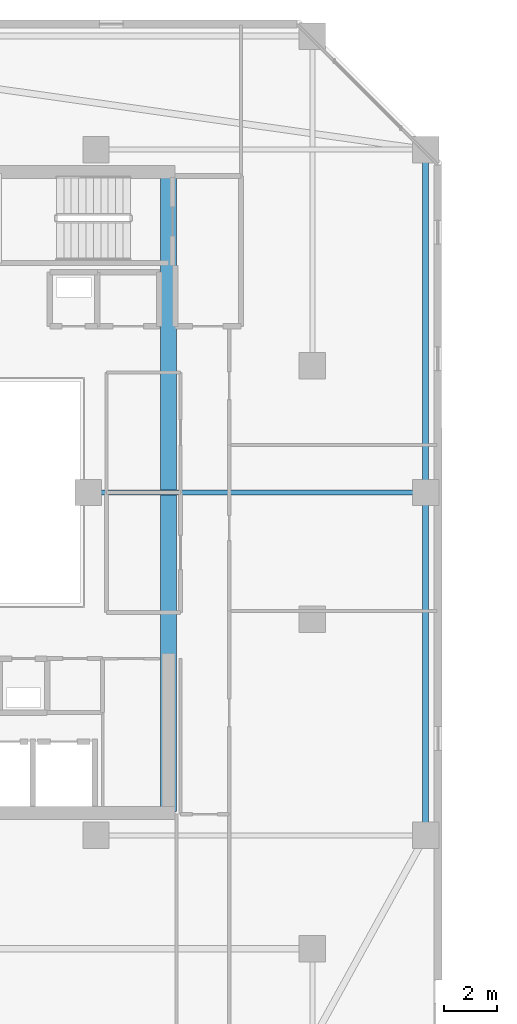
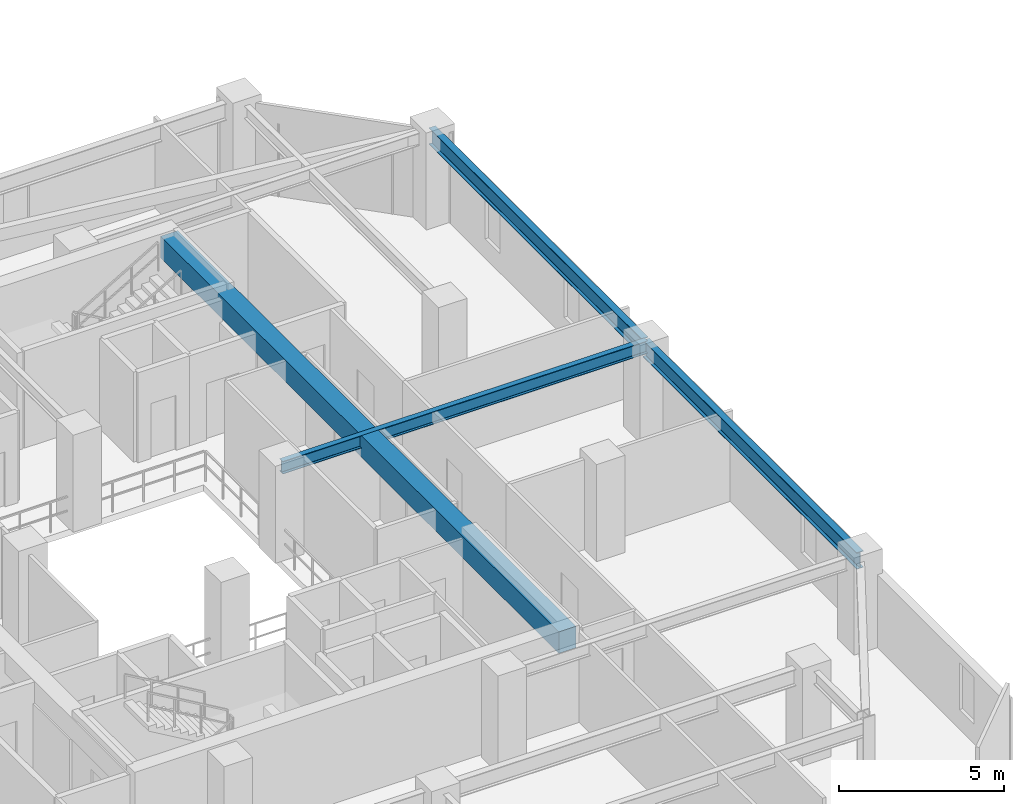
# One storey, part 6 of 32: 4 beams.
"""IFC4 building model written with IfcOpenShell, lengths in metres."""

from ifc_helpers import new_model, si_unit, direction, frame, origin, origin_2d, place, context, subcontext, project, spatial, rectangle, i_section, extrude, material, material_profile, profile_set, type_object, element, save


model = new_model("IFC4")

# Units and contexts
model_context = context("Model", 3, precision=1e-05, world=origin(), true_north=direction((0.0, 1.0)))
body_context = subcontext(model_context, "Body", "Model", "MODEL_VIEW")
ifc_project = project(units=[si_unit("LENGTHUNIT", "METRE"), si_unit("AREAUNIT", "SQUARE_METRE"), si_unit("VOLUMEUNIT", "CUBIC_METRE"), si_unit("PLANEANGLEUNIT", "RADIAN"), si_unit("MASSUNIT", "GRAM", prefix="KILO")], contexts=[model_context])

# Site, building, storey
site_placement = place(None, origin())
site = spatial("IfcSite", under=ifc_project, at=site_placement, CompositionType="ELEMENT")
building_placement = place(site_placement, origin())
building = spatial("IfcBuilding", under=site, at=building_placement, Name="Thornwick Lancets Civic Towers", CompositionType="ELEMENT")
storey_placement = place(building_placement, frame((0.0, 0.0, 240.300048828125)))
storey = spatial("IfcBuildingStorey", under=building, at=storey_placement, Name="L64", CompositionType="ELEMENT", Elevation=240.300048828125)

# Beams
ifc_material_1 = material(Name="Concrete C60/75", Category="concrete")
ifc_material_profile_1 = material_profile(ifc_material_1, rectangle(XDim=0.60009765625, YDim=0.800048828125, at=origin_2d()), Name="RC 600x800")
ifc_profile_set_1 = profile_set([ifc_material_profile_1], Name="Concrete C60/75")
beam_type_1 = type_object("IfcBeamType", Name="BM_COUP_RC800", PredefinedType="BEAM", material=ifc_profile_set_1)
beam_1_placement = place(storey_placement, frame((33.050048828125, 14.89990234375, 2.9599609375), z_axis=(0.0, 1.0, 0.0), x_axis=(-1.0, 0.0, 0.0)))
element("IfcBeam", 1, at=beam_1_placement, inside=storey, type_object=beam_type_1, Name="CB-L64-A1", PredefinedType="BEAM", context=body_context, shape_type="SweptSolid", body=[
    extrude(rectangle(XDim=0.60009765625, YDim=0.800048828125, at=origin_2d()), origin(), (0.0, 0.0, 1.0), 24.2001953125),
])
ifc_material_2 = material(Name="Steel S355JR", Category="steel")
ifc_material_profile_2 = material_profile(ifc_material_2, i_section(OverallWidth=0.230224609375, OverallDepth=0.6171875, WebThickness=0.01318359375, FlangeThickness=0.022216796875, FilletRadius=0.0126953125, at=origin_2d()), Name="UKB 610x229x140")
ifc_profile_set_2 = profile_set([ifc_material_profile_2], Name="Steel S355JR")
beam_type_2 = type_object("IfcBeamType", Name="BM_GIRD_610_140", PredefinedType="BEAM", material=ifc_profile_set_2)
beam_2_placement = place(storey_placement, frame((42.800048828125, 14.0, 3.05126953125), z_axis=(0.0, 1.0, 0.0), x_axis=(-1.0, 0.0, 0.0)))
element("IfcBeam", 2, at=beam_2_placement, inside=storey, type_object=beam_type_2, Name="BM-SPINE-L64-A-3-4", PredefinedType="BEAM", context=body_context, shape_type="SweptSolid", body=[
    extrude(i_section(OverallWidth=0.230224609375, OverallDepth=0.6171875, WebThickness=0.01318359375, FlangeThickness=0.022216796875, FilletRadius=0.0126953125, at=origin_2d()), origin(), (0.0, 0.0, 1.0), 13.0),
])
beam_3_placement = place(storey_placement, frame((42.800048828125, 27.080078125, 3.05126953125), z_axis=(0.0, 1.0, 0.0), x_axis=(-1.0, 0.0, 0.0)))
element("IfcBeam", 3, at=beam_3_placement, inside=storey, type_object=beam_type_2, Name="BM-SPINE-L64-A-4-5", PredefinedType="BEAM", context=body_context, shape_type="SweptSolid", body=[
    extrude(i_section(OverallWidth=0.230224609375, OverallDepth=0.6171875, WebThickness=0.01318359375, FlangeThickness=0.022216796875, FilletRadius=0.0126953125, at=origin_2d()), origin(), (0.0, 0.0, 1.0), 12.919921875),
])
ifc_material_profile_3 = material_profile(ifc_material_2, i_section(OverallWidth=0.19287109375, OverallDepth=0.46728515625, WebThickness=0.011474609375, FlangeThickness=0.01953125, FilletRadius=0.01025390625, at=origin_2d()), Name="UKB 457x191x98")
ifc_profile_set_3 = profile_set([ifc_material_profile_3], Name="Steel S355JR")
beam_type_3 = type_object("IfcBeamType", Name="BM_JOIST_457_98", PredefinedType="JOIST", material=ifc_profile_set_3)
beam_4_placement = place(storey_placement, frame((30.0, 27.0, 3.12646484375), z_axis=(1.0, 0.0, 0.0), x_axis=(0.0, 1.0, 0.0)))
element("IfcBeam", 4, at=beam_4_placement, inside=storey, type_object=beam_type_3, Name="BM-RADIN-L64-A05", PredefinedType="JOIST", context=body_context, shape_type="SweptSolid", body=[
    extrude(i_section(OverallWidth=0.19287109375, OverallDepth=0.46728515625, WebThickness=0.011474609375, FlangeThickness=0.01953125, FilletRadius=0.01025390625, at=origin_2d()), origin(), (0.0, 0.0, 1.0), 12.800048828125),
])

save(model, "model.ifc")
